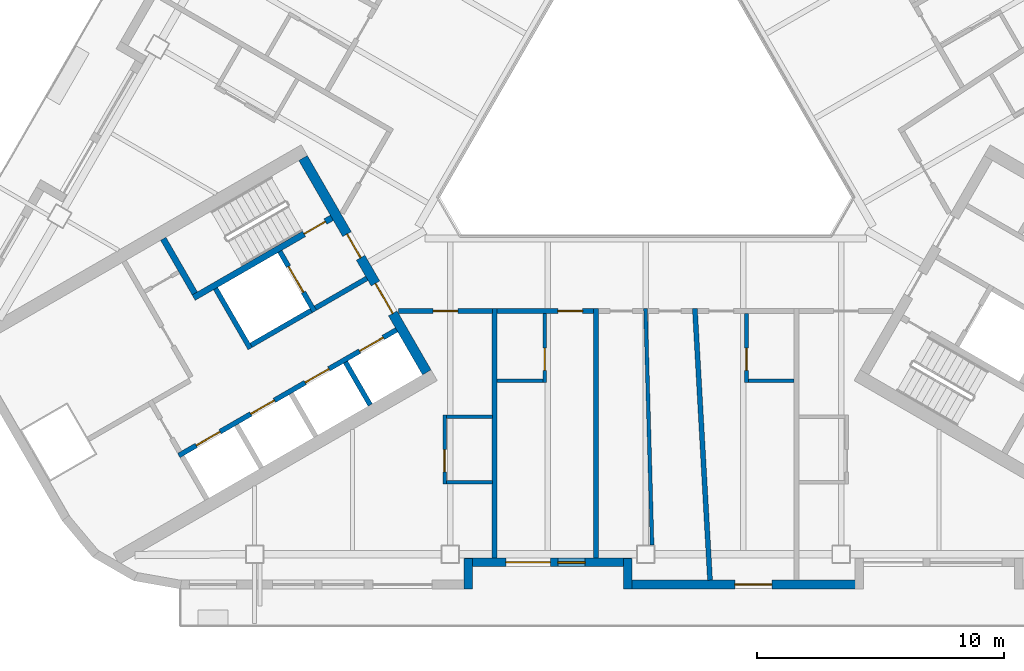
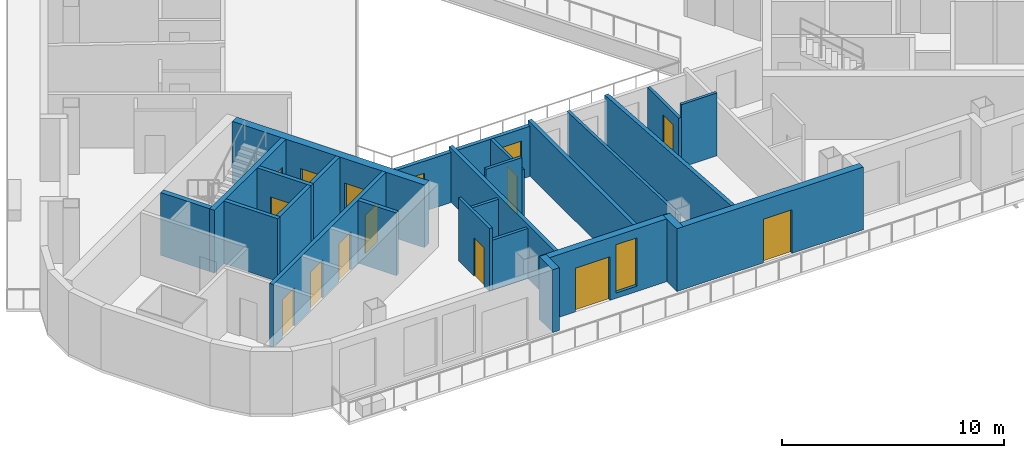
# One storey, part 3 of 14: 26 walls, 15 doors, 1 window, 16 openings.
"""IFC4 building model written with IfcOpenShell, lengths in metres."""

from ifc_helpers import new_model, si_unit, direction, frame, frame_2d, origin, place, context, subcontext, project, spatial, rectangle, extrude, material, layer, layer_set, type_object, element, fill, save


model = new_model("IFC4")

# Units and contexts
model_context = context("Model", 3, precision=1e-05, world=origin(), true_north=direction((0.0, 1.0)))
body_context = subcontext(model_context, "Body", "Model", "MODEL_VIEW")
ifc_project = project(units=[si_unit("LENGTHUNIT", "METRE"), si_unit("AREAUNIT", "SQUARE_METRE"), si_unit("VOLUMEUNIT", "CUBIC_METRE"), si_unit("PLANEANGLEUNIT", "RADIAN"), si_unit("MASSUNIT", "GRAM", prefix="KILO")], contexts=[model_context])

# Site, building, storey
site_placement = place(None, origin())
site = spatial("IfcSite", under=ifc_project, at=site_placement, CompositionType="ELEMENT")
building_placement = place(site_placement, origin())
building = spatial("IfcBuilding", under=site, at=building_placement, Name="Apuvela Tower Hotel", CompositionType="ELEMENT")
storey_placement = place(building_placement, frame((0.0, 0.0, 228.0)))
storey = spatial("IfcBuildingStorey", under=building, at=storey_placement, Name="L56", CompositionType="ELEMENT", Elevation=228.0)

# Wall, openings, doors
ifc_material_1 = material(Name="Concrete C50/60", Category="concrete")
ifc_layer_1 = layer(ifc_material_1, 0.39990234375)
ifc_layer_set_1 = layer_set([ifc_layer_1], Name="COR-WALL-CORE-400")
wall_type_1 = type_object("IfcWallType", Name="COR-WALL-CORE-400", PredefinedType="SHEAR", material=ifc_layer_set_1)
wall_1_placement = place(storey_placement, frame((-13.844970703125, -2.219970703125, 0.0), z_axis=(0.0, 0.0, 1.0), x_axis=(0.500004234368, -0.866022959057, 0.0)))
wall_1 = element("IfcWall", 1, at=wall_1_placement, inside=storey, type_object=wall_type_1, Name="Core wall SW", PredefinedType="SHEAR", context=body_context, shape_type="SweptSolid", body=[
    extrude(rectangle(XDim=10.0, YDim=0.39990234375, at=frame_2d((5.0, 0.0))), origin(), (0.0, 0.0, 1.0), 3.449951171875),
])
opening_1_placement = place(wall_1_placement, frame((3.550048828125, 0.0, 0.0)))
opening_1 = element("IfcOpeningElement", 2, at=opening_1_placement, cuts=wall_1, Name="Opening W-FD", PredefinedType="OPENING", context=body_context, shape_type="SweptSolid", body=[
    extrude(rectangle(XDim=1.10009765625, YDim=2.10009765625, at=frame_2d((0.550048828125, 1.050048828125))), frame((0.0, 0.2099609375, 0.0), z_axis=(0.0, -1.0, 0.0), x_axis=(1.0, 0.0, 0.0)), (0.0, 0.0, 1.0), 0.419921875),
])
opening_2_placement = place(wall_1_placement, frame((5.85009765625, 0.0, 0.0)))
opening_2 = element("IfcOpeningElement", 3, at=opening_2_placement, cuts=wall_1, Name="Opening W-GD", PredefinedType="OPENING", context=body_context, shape_type="SweptSolid", body=[
    extrude(rectangle(XDim=1.39990234375, YDim=2.10009765625, at=frame_2d((0.699951171875, 1.050048828125))), frame((0.0, 0.2099609375, 0.0), z_axis=(0.0, -1.0, 0.0), x_axis=(1.0, 0.0, 0.0)), (0.0, 0.0, 1.0), 0.419921875),
])
ifc_material_2 = material(Name="Steel fire door, powder coated", Category="steel")
door_type_1 = type_object("IfcDoorType", Name="COR-FD-1100", OperationType="NOTDEFINED", PredefinedType="DOOR", material=ifc_material_2)
door_1_placement = place(opening_1_placement, frame((1.10009765625, 0.0, 0.0), z_axis=(0.0, 0.0, 1.0), x_axis=(-1.0, 0.0, 0.0)))
door_1 = element("IfcDoor", 4, at=door_1_placement, inside=storey, type_object=door_type_1, Name="Firefighting lobby door W-FD", OperationType="SINGLE_SWING_LEFT", OverallHeight=2.10009765625, OverallWidth=1.10009765625, PredefinedType="DOOR", context=body_context, shape_type="SweptSolid", body=[
    extrude(rectangle(XDim=1.10009765625, YDim=2.10009765625, at=frame_2d((0.550048828125, 1.050048828125))), frame((0.0, 0.02490234375, 0.0), z_axis=(0.0, -1.0, 0.0), x_axis=(1.0, 0.0, 0.0)), (0.0, 0.0, 1.0), 0.050048828125),
])
fill(opening_1, door_1)
ifc_material_3 = material(Name="Glazed steel fire door", Category="steel")
door_type_2 = type_object("IfcDoorType", Name="COR-GD-1400", OperationType="DOUBLE_DOOR_SINGLE_SWING", PredefinedType="DOOR", material=ifc_material_3)
door_2_placement = place(opening_2_placement, frame((1.39990234375, 0.0, 0.0), z_axis=(0.0, 0.0, 1.0), x_axis=(-1.0, 0.0, 0.0)))
door_2 = element("IfcDoor", 5, at=door_2_placement, inside=storey, type_object=door_type_2, Name="Lift lobby door W-GD", OperationType="DOUBLE_DOOR_SINGLE_SWING", OverallHeight=2.10009765625, OverallWidth=1.39990234375, PredefinedType="DOOR", context=body_context, shape_type="SweptSolid", body=[
    extrude(rectangle(XDim=1.39990234375, YDim=2.10009765625, at=frame_2d((0.699951171875, 1.050048828125))), frame((0.0, 0.02490234375, 0.0), z_axis=(0.0, -1.0, 0.0), x_axis=(1.0, 0.0, 0.0)), (0.0, 0.0, 1.0), 0.050048828125),
])
fill(opening_2, door_2)

# Wall
ifc_layer_2 = layer(ifc_material_1, 0.199951171875)
ifc_layer_set_2 = layer_set([ifc_layer_2], Name="COR-WALL-SHAFT-200")
wall_type_2 = type_object("IfcWallType", Name="COR-WALL-SHAFT-200", PredefinedType="SHEAR", material=ifc_layer_set_2)
wall_2_placement = place(storey_placement, frame((-17.38134765625, -7.49462890625, 0.0), z_axis=(0.0, 0.0, 1.0), x_axis=(0.500011755427, -0.866018616679, 0.0)))
element("IfcWall", 6, at=wall_2_placement, inside=storey, type_object=wall_type_2, Name="Shaft wall SW", PredefinedType="SHEAR", context=body_context, shape_type="SweptSolid", body=[
    extrude(rectangle(XDim=2.80029296875, YDim=0.199951171875, at=frame_2d((1.400146484375, 0.0))), origin(), (0.0, 0.0, 1.0), 3.449951171875),
])

# Wall, opening, door
wall_3_placement = place(storey_placement, frame((-14.783203125, -5.99462890625, 0.0), z_axis=(0.0, 0.0, 1.0), x_axis=(0.49994636267, -0.866056369097, 0.0)))
wall_3 = element("IfcWall", 7, at=wall_3_placement, inside=storey, type_object=wall_type_2, Name="Shaft wall SW", PredefinedType="SHEAR", context=body_context, shape_type="SweptSolid", body=[
    extrude(rectangle(XDim=2.800048828125, YDim=0.199951171875, at=frame_2d((1.39990234375, 0.0))), origin(), (0.0, 0.0, 1.0), 3.449951171875),
])
opening_3_placement = place(wall_3_placement, frame((0.699951171875, 0.0, 0.0)))
opening_3 = element("IfcOpeningElement", 8, at=opening_3_placement, cuts=wall_3, Name="Opening W-LD-FS2", PredefinedType="OPENING", context=body_context, shape_type="SweptSolid", body=[
    extrude(rectangle(XDim=1.199951171875, YDim=2.10009765625, at=frame_2d((0.60009765625, 1.050048828125))), frame((0.0, 0.10986328125, 0.0), z_axis=(0.0, -1.0, 0.0), x_axis=(1.0, 0.0, 0.0)), (0.0, 0.0, 1.0), 0.219970703125),
])
ifc_material_4 = material(Name="Stainless steel lift landing door", Category="steel")
door_type_3 = type_object("IfcDoorType", Name="COR-LD-1200", OperationType="DOUBLE_DOOR_SLIDING", PredefinedType="DOOR", material=ifc_material_4)
door_3_placement = place(opening_3_placement, origin())
door_3 = element("IfcDoor", 9, at=door_3_placement, inside=storey, type_object=door_type_3, Name="Lift landing door W-LD-FS2", OperationType="DOUBLE_DOOR_SLIDING", OverallHeight=2.10009765625, OverallWidth=1.199951171875, PredefinedType="DOOR", context=body_context, shape_type="SweptSolid", body=[
    extrude(rectangle(XDim=1.199951171875, YDim=2.10009765625, at=frame_2d((0.60009765625, 1.050048828125))), frame((0.0, 0.02490234375, 0.0), z_axis=(0.0, -1.0, 0.0), x_axis=(1.0, 0.0, 0.0)), (0.0, 0.0, 1.0), 0.050048828125),
])
fill(opening_3, door_3)

# Walls
wall_4_placement = place(storey_placement, frame((-13.519775390625, -8.383056640625, 0.0), z_axis=(0.0, 0.0, 1.0), x_axis=(-0.866034573852, -0.49998411664, 0.0)))
element("IfcWall", 10, at=wall_4_placement, inside=storey, type_object=wall_type_2, Name="Shaft wall SW", PredefinedType="SHEAR", context=body_context, shape_type="SweptSolid", body=[
    extrude(rectangle(XDim=2.7998046875, YDim=0.199951171875, at=frame_2d((1.39990234375, 0.0))), origin(), (0.0, 0.0, 1.0), 3.449951171875),
])
wall_5_placement = place(storey_placement, frame((-11.26806640625, -7.0830078125, 0.0), z_axis=(0.0, 0.0, 1.0), x_axis=(-0.866050077142, -0.499957262057, 0.0)))
element("IfcWall", 11, at=wall_5_placement, inside=storey, type_object=wall_type_2, Name="Shaft wall SW", PredefinedType="SHEAR", context=body_context, shape_type="SweptSolid", body=[
    extrude(rectangle(XDim=2.400146484375, YDim=0.199951171875, at=frame_2d((1.2001953125, 0.0))), origin(), (0.0, 0.0, 1.0), 3.449951171875),
])

# Wall, openings, doors
wall_6_placement = place(storey_placement, frame((-10.068115234375, -9.16162109375, 0.0), z_axis=(0.0, 0.0, 1.0), x_axis=(-0.866032725843, -0.499987317609, 0.0)))
wall_6 = element("IfcWall", 12, at=wall_6_placement, inside=storey, type_object=wall_type_2, Name="Shaft wall SW", PredefinedType="SHEAR", context=body_context, shape_type="SweptSolid", body=[
    extrude(rectangle(XDim=10.159912109375, YDim=0.199951171875, at=frame_2d((5.080078125, 0.0))), origin(), (0.0, 0.0, 1.0), 3.449951171875),
])
opening_4_placement = place(wall_6_placement, frame((0.6201171875, 0.0, 0.0)))
opening_4 = element("IfcOpeningElement", 13, at=opening_4_placement, cuts=wall_6, Name="Opening W-LD-MR1", PredefinedType="OPENING", context=body_context, shape_type="SweptSolid", body=[
    extrude(rectangle(XDim=1.10009765625, YDim=2.10009765625, at=frame_2d((0.550048828125, 1.050048828125))), frame((0.0, 0.10986328125, 0.0), z_axis=(0.0, -1.0, 0.0), x_axis=(1.0, 0.0, 0.0)), (0.0, 0.0, 1.0), 0.219970703125),
])
opening_5_placement = place(wall_6_placement, frame((3.159912109375, 0.0, 0.0)))
opening_5 = element("IfcOpeningElement", 14, at=opening_5_placement, cuts=wall_6, Name="Opening W-LD-MR2", PredefinedType="OPENING", context=body_context, shape_type="SweptSolid", body=[
    extrude(rectangle(XDim=1.10009765625, YDim=2.10009765625, at=frame_2d((0.550048828125, 1.050048828125))), frame((0.0, 0.10986328125, 0.0), z_axis=(0.0, -1.0, 0.0), x_axis=(1.0, 0.0, 0.0)), (0.0, 0.0, 1.0), 0.219970703125),
])
opening_6_placement = place(wall_6_placement, frame((5.699951171875, 0.0, 0.0)))
opening_6 = element("IfcOpeningElement", 15, at=opening_6_placement, cuts=wall_6, Name="Opening W-LD-MR3", PredefinedType="OPENING", context=body_context, shape_type="SweptSolid", body=[
    extrude(rectangle(XDim=1.10009765625, YDim=2.10009765625, at=frame_2d((0.550048828125, 1.050048828125))), frame((0.0, 0.10986328125, 0.0), z_axis=(0.0, -1.0, 0.0), x_axis=(1.0, 0.0, 0.0)), (0.0, 0.0, 1.0), 0.219970703125),
])
opening_7_placement = place(wall_6_placement, frame((8.239990234375, 0.0, 0.0)))
opening_7 = element("IfcOpeningElement", 16, at=opening_7_placement, cuts=wall_6, Name="Opening W-LD-MR4", PredefinedType="OPENING", context=body_context, shape_type="SweptSolid", body=[
    extrude(rectangle(XDim=1.10009765625, YDim=2.10009765625, at=frame_2d((0.550048828125, 1.050048828125))), frame((0.0, 0.10986328125, 0.0), z_axis=(0.0, -1.0, 0.0), x_axis=(1.0, 0.0, 0.0)), (0.0, 0.0, 1.0), 0.219970703125),
])
door_type_4 = type_object("IfcDoorType", Name="COR-LD-1100", OperationType="DOUBLE_DOOR_SLIDING", PredefinedType="DOOR", material=ifc_material_4)
door_4_placement = place(opening_4_placement, origin())
door_4 = element("IfcDoor", 17, at=door_4_placement, inside=storey, type_object=door_type_4, Name="Lift landing door W-LD-MR1", OperationType="DOUBLE_DOOR_SLIDING", OverallHeight=2.10009765625, OverallWidth=1.10009765625, PredefinedType="DOOR", context=body_context, shape_type="SweptSolid", body=[
    extrude(rectangle(XDim=1.10009765625, YDim=2.10009765625, at=frame_2d((0.550048828125, 1.050048828125))), frame((0.0, 0.02490234375, 0.0), z_axis=(0.0, -1.0, 0.0), x_axis=(1.0, 0.0, 0.0)), (0.0, 0.0, 1.0), 0.050048828125),
])
fill(opening_4, door_4)
door_5_placement = place(opening_5_placement, origin())
door_5 = element("IfcDoor", 18, at=door_5_placement, inside=storey, type_object=door_type_4, Name="Lift landing door W-LD-MR2", OperationType="DOUBLE_DOOR_SLIDING", OverallHeight=2.10009765625, OverallWidth=1.10009765625, PredefinedType="DOOR", context=body_context, shape_type="SweptSolid", body=[
    extrude(rectangle(XDim=1.10009765625, YDim=2.10009765625, at=frame_2d((0.550048828125, 1.050048828125))), frame((0.0, 0.02490234375, 0.0), z_axis=(0.0, -1.0, 0.0), x_axis=(1.0, 0.0, 0.0)), (0.0, 0.0, 1.0), 0.050048828125),
])
fill(opening_5, door_5)
door_6_placement = place(opening_6_placement, origin())
door_6 = element("IfcDoor", 19, at=door_6_placement, inside=storey, type_object=door_type_4, Name="Lift landing door W-LD-MR3", OperationType="DOUBLE_DOOR_SLIDING", OverallHeight=2.10009765625, OverallWidth=1.10009765625, PredefinedType="DOOR", context=body_context, shape_type="SweptSolid", body=[
    extrude(rectangle(XDim=1.10009765625, YDim=2.10009765625, at=frame_2d((0.550048828125, 1.050048828125))), frame((0.0, 0.02490234375, 0.0), z_axis=(0.0, -1.0, 0.0), x_axis=(1.0, 0.0, 0.0)), (0.0, 0.0, 1.0), 0.050048828125),
])
fill(opening_6, door_6)
door_7_placement = place(opening_7_placement, origin())
door_7 = element("IfcDoor", 20, at=door_7_placement, inside=storey, type_object=door_type_4, Name="Lift landing door W-LD-MR4", OperationType="DOUBLE_DOOR_SLIDING", OverallHeight=2.10009765625, OverallWidth=1.10009765625, PredefinedType="DOOR", context=body_context, shape_type="SweptSolid", body=[
    extrude(rectangle(XDim=1.10009765625, YDim=2.10009765625, at=frame_2d((0.550048828125, 1.050048828125))), frame((0.0, 0.02490234375, 0.0), z_axis=(0.0, -1.0, 0.0), x_axis=(1.0, 0.0, 0.0)), (0.0, 0.0, 1.0), 0.050048828125),
])
fill(opening_7, door_7)

# Wall
wall_7_placement = place(storey_placement, frame((-12.131103515625, -10.468017578125, 0.0), z_axis=(0.0, 0.0, 1.0), x_axis=(0.499972520799, -0.866041268327, 0.0)))
element("IfcWall", 21, at=wall_7_placement, inside=storey, type_object=wall_type_2, Name="Shaft wall SW", PredefinedType="SHEAR", context=body_context, shape_type="SweptSolid", body=[
    extrude(rectangle(XDim=2.0, YDim=0.199951171875, at=frame_2d((1.0, 0.0))), origin(), (0.0, 0.0, 1.0), 3.449951171875),
])

# Wall, opening, door
ifc_layer_3 = layer(ifc_material_1, 0.25)
ifc_layer_set_3 = layer_set([ifc_layer_3], Name="COR-WALL-STAIR-250")
wall_type_3 = type_object("IfcWallType", Name="COR-WALL-STAIR-250", PredefinedType="SHEAR", material=ifc_layer_set_3)
wall_8_placement = place(storey_placement, frame((-12.6806640625, -4.636474609375, 0.0), z_axis=(0.0, 0.0, 1.0), x_axis=(-0.866021702275, -0.500006411147, 0.0)))
wall_8 = element("IfcWall", 22, at=wall_8_placement, inside=storey, type_object=wall_type_3, Name="Stair wall SW", PredefinedType="SHEAR", context=body_context, shape_type="SweptSolid", body=[
    extrude(rectangle(XDim=6.4501953125, YDim=0.25, at=frame_2d((3.22509765625, 0.0))), origin(), (0.0, 0.0, 1.0), 3.449951171875),
])
opening_8_placement = place(wall_8_placement, frame((0.300048828125, 0.0, 0.0)))
opening_8 = element("IfcOpeningElement", 23, at=opening_8_placement, cuts=wall_8, Name="Opening W-SD", PredefinedType="OPENING", context=body_context, shape_type="SweptSolid", body=[
    extrude(rectangle(XDim=1.0, YDim=2.10009765625, at=frame_2d((0.5, 1.050048828125))), frame((0.0, 0.135009765625, 0.0), z_axis=(0.0, -1.0, 0.0), x_axis=(1.0, 0.0, 0.0)), (0.0, 0.0, 1.0), 0.27001953125),
])
door_type_5 = type_object("IfcDoorType", Name="COR-SD-1000", OperationType="NOTDEFINED", PredefinedType="DOOR", material=ifc_material_2)
door_8_placement = place(opening_8_placement, frame((1.0, 0.0, 0.0), z_axis=(0.0, 0.0, 1.0), x_axis=(-1.0, 0.0, 0.0)))
door_8 = element("IfcDoor", 24, at=door_8_placement, inside=storey, type_object=door_type_5, Name="Stair door W-SD", OperationType="SINGLE_SWING_LEFT", OverallHeight=2.10009765625, OverallWidth=1.0, PredefinedType="DOOR", context=body_context, shape_type="SweptSolid", body=[
    extrude(rectangle(XDim=1.0, YDim=2.10009765625, at=frame_2d((0.5, 1.050048828125))), frame((0.0, 0.02490234375, 0.0), z_axis=(0.0, -1.0, 0.0), x_axis=(1.0, 0.0, 0.0)), (0.0, 0.0, 1.0), 0.050048828125),
])
fill(opening_8, door_8)

# Walls
wall_9_placement = place(storey_placement, frame((-19.49560546875, -5.482421875, 0.0), z_axis=(0.0, 0.0, 1.0), x_axis=(0.499990435942, -0.866030925526, 0.0)))
element("IfcWall", 25, at=wall_9_placement, inside=storey, type_object=wall_type_3, Name="Stair wall SW", PredefinedType="SHEAR", context=body_context, shape_type="SweptSolid", body=[
    extrude(rectangle(XDim=2.5498046875, YDim=0.25, at=frame_2d((1.27490234375, 0.0))), origin(), (0.0, 0.0, 1.0), 3.449951171875),
])
ifc_material_5 = material(Name="Concrete C40/50, dark pigmented precast panel", Category="concrete")
ifc_layer_4 = layer(ifc_material_5, 0.35009765625)
ifc_layer_set_4 = layer_set([ifc_layer_4], Name="ENV-WALL-350")
wall_type_4 = type_object("IfcWallType", Name="ENV-WALL-350", PredefinedType="SOLIDWALL", material=ifc_layer_set_4)
wall_10_placement = place(storey_placement, frame((-7.175048828125, -19.6298828125, 0.0), z_axis=(0.0, 0.0, 1.0), x_axis=(0.0, 1.0, 0.0)))
element("IfcWall", 26, at=wall_10_placement, inside=storey, type_object=wall_type_4, Name="External wall L56-18", PredefinedType="SOLIDWALL", context=body_context, shape_type="SweptSolid", body=[
    extrude(rectangle(XDim=1.219970703125, YDim=0.35009765625, at=frame_2d((0.60986328125, 0.0))), origin(), (0.0, 0.0, 1.0), 3.449951171875),
])

# Wall, openings, door, window
wall_11_placement = place(storey_placement, frame((-7.320068359375, -18.554931640625, 0.0), z_axis=(0.0, 0.0, 1.0), x_axis=(1.0, 0.0, 0.0)))
wall_11 = element("IfcWall", 27, at=wall_11_placement, inside=storey, type_object=wall_type_4, Name="External wall L56-19", PredefinedType="SOLIDWALL", context=body_context, shape_type="SweptSolid", body=[
    extrude(rectangle(XDim=6.739990234375, YDim=0.35009765625, at=frame_2d((3.3701171875, 0.0))), origin(), (0.0, 0.0, 1.0), 3.449951171875),
])
opening_9_placement = place(wall_11_placement, frame((1.669921875, 0.0, 0.0)))
opening_9 = element("IfcOpeningElement", 28, at=opening_9_placement, cuts=wall_11, Name="Opening BD18", PredefinedType="OPENING", context=body_context, shape_type="SweptSolid", body=[
    extrude(rectangle(XDim=1.800048828125, YDim=2.39990234375, at=frame_2d((0.89990234375, 1.199951171875))), frame((0.0, 0.18505859375, 0.0), z_axis=(0.0, -1.0, 0.0), x_axis=(1.0, 0.0, 0.0)), (0.0, 0.0, 1.0), 0.3701171875),
])
opening_10_placement = place(wall_11_placement, frame((3.77001953125, 0.0, 0.300048828125)))
opening_10 = element("IfcOpeningElement", 29, at=opening_10_placement, cuts=wall_11, Name="Opening WN11", PredefinedType="OPENING", context=body_context, shape_type="SweptSolid", body=[
    extrude(rectangle(XDim=1.10009765625, YDim=2.64990234375, at=frame_2d((0.550048828125, 1.324951171875))), frame((0.0, 0.18505859375, 0.0), z_axis=(0.0, -1.0, 0.0), x_axis=(1.0, 0.0, 0.0)), (0.0, 0.0, 1.0), 0.3701171875),
])
ifc_material_6 = material(Name="Aluminium 6063-T6, dark bronze anodised frame with dark tinted laminated glass", Category="aluminium")
door_type_6 = type_object("IfcDoorType", Name="ENV-DOOR-BALCONY-1800x2400", OperationType="SLIDING_TO_LEFT", PredefinedType="DOOR", material=ifc_material_6)
door_9_placement = place(opening_9_placement, frame((1.800048828125, 0.0, 0.0), z_axis=(0.0, 0.0, 1.0), x_axis=(-1.0, 0.0, 0.0)))
door_9 = element("IfcDoor", 30, at=door_9_placement, inside=storey, type_object=door_type_6, Name="Balcony door BD18", OperationType="SLIDING_TO_LEFT", OverallHeight=2.39990234375, OverallWidth=1.800048828125, PredefinedType="DOOR", context=body_context, shape_type="SweptSolid", body=[
    extrude(rectangle(XDim=1.800048828125, YDim=2.39990234375, at=frame_2d((0.89990234375, 1.199951171875))), frame((0.0, 0.02490234375, 0.0), z_axis=(0.0, -1.0, 0.0), x_axis=(1.0, 0.0, 0.0)), (0.0, 0.0, 1.0), 0.050048828125),
])
fill(opening_9, door_9)
ifc_material_7 = material(Name="Glass, dark tinted laminated insulated glazing unit", Category="glass")
window_type = type_object("IfcWindowType", Name="ENV-WIN-1100x2650", PartitioningType="SINGLE_PANEL", PredefinedType="WINDOW", material=ifc_material_7)
window_placement = place(opening_10_placement, origin())
window = element("IfcWindow", 31, at=window_placement, inside=storey, type_object=window_type, Name="Window WN11", OverallHeight=2.64990234375, OverallWidth=1.10009765625, PartitioningType="SINGLE_PANEL", PredefinedType="WINDOW", context=body_context, shape_type="SweptSolid", body=[
    extrude(rectangle(XDim=1.10009765625, YDim=2.64990234375, at=frame_2d((0.550048828125, 1.324951171875))), frame((0.0, 0.030029296875, 0.0), z_axis=(0.0, -1.0, 0.0), x_axis=(1.0, 0.0, 0.0)), (0.0, 0.0, 1.0), 0.06005859375),
])
fill(opening_10, window)

# Wall
wall_12_placement = place(storey_placement, frame((-0.72509765625, -18.409912109375, 0.0), z_axis=(0.0, 0.0, 1.0), x_axis=(0.0, -1.0, 0.0)))
element("IfcWall", 32, at=wall_12_placement, inside=storey, type_object=wall_type_4, Name="External wall L56-20", PredefinedType="SOLIDWALL", context=body_context, shape_type="SweptSolid", body=[
    extrude(rectangle(XDim=1.219970703125, YDim=0.35009765625, at=frame_2d((0.60986328125, 0.0))), origin(), (0.0, 0.0, 1.0), 3.449951171875),
])

# Wall, opening, door
wall_13_placement = place(storey_placement, frame((-0.89990234375, -19.455078125, 0.0), z_axis=(0.0, 0.0, 1.0), x_axis=(1.0, 0.0, 0.0)))
wall_13 = element("IfcWall", 33, at=wall_13_placement, inside=storey, type_object=wall_type_4, Name="External wall L56-21", PredefinedType="SOLIDWALL", context=body_context, shape_type="SweptSolid", body=[
    extrude(rectangle(XDim=9.699951171875, YDim=0.35009765625, at=frame_2d((4.85009765625, 0.0))), origin(), (0.0, 0.0, 1.0), 3.449951171875),
])
opening_11_placement = place(wall_13_placement, frame((4.5, 0.0, 0.0)))
opening_11 = element("IfcOpeningElement", 34, at=opening_11_placement, cuts=wall_13, Name="Opening BD15", PredefinedType="OPENING", context=body_context, shape_type="SweptSolid", body=[
    extrude(rectangle(XDim=1.5, YDim=2.39990234375, at=frame_2d((0.75, 1.199951171875))), frame((0.0, 0.18505859375, 0.0), z_axis=(0.0, -1.0, 0.0), x_axis=(1.0, 0.0, 0.0)), (0.0, 0.0, 1.0), 0.3701171875),
])
door_type_7 = type_object("IfcDoorType", Name="ENV-DOOR-BALCONY-1500x2400", OperationType="SLIDING_TO_LEFT", PredefinedType="DOOR", material=ifc_material_6)
door_10_placement = place(opening_11_placement, frame((1.5, 0.0, 0.0), z_axis=(0.0, 0.0, 1.0), x_axis=(-1.0, 0.0, 0.0)))
door_10 = element("IfcDoor", 35, at=door_10_placement, inside=storey, type_object=door_type_7, Name="Balcony door BD15", OperationType="SLIDING_TO_LEFT", OverallHeight=2.39990234375, OverallWidth=1.5, PredefinedType="DOOR", context=body_context, shape_type="SweptSolid", body=[
    extrude(rectangle(XDim=1.5, YDim=2.39990234375, at=frame_2d((0.75, 1.199951171875))), frame((0.0, 0.02490234375, 0.0), z_axis=(0.0, -1.0, 0.0), x_axis=(1.0, 0.0, 0.0)), (0.0, 0.0, 1.0), 0.050048828125),
])
fill(opening_11, door_10)

# Walls
ifc_material_8 = material(Name="Gypsum board partition on twin steel stud", Category="steel")
ifc_layer_5 = layer(ifc_material_8, 0.199951171875)
ifc_layer_set_5 = layer_set([ifc_layer_5], Name="GST-PW1")
wall_type_5 = type_object("IfcWallType", Name="GST-PW1", PredefinedType="PARTITIONING", material=ifc_layer_set_5)
for number, where, z_axis, x_axis, name in (
    (36, (-6.10009765625, -18.3798828125, 0.0), (0.0, 0.0, 1.0), (0.0, 1.0, 0.0), "L56 partition 01"),
    (37, (-2.0, -18.3798828125, 0.0), (0.0, 0.0, 1.0), (0.0, 1.0, 0.0), "L56 partition 02"),
):
    element("IfcWall", number, at=place(storey_placement, frame(where, z_axis=z_axis, x_axis=x_axis)), inside=storey, type_object=wall_type_5, Name=name, PredefinedType="PARTITIONING", context=body_context, shape_type="SweptSolid", body=[
        extrude(rectangle(XDim=10.079833984375, YDim=0.199951171875, at=frame_2d((5.0400390625, 0.0))), origin(), (0.0, 0.0, 1.0), 2.9599609375),
    ])
wall_14_placement = place(storey_placement, frame((2.60009765625, -19.280029296875, 0.0), z_axis=(0.0, 0.0, 1.0), x_axis=(-0.055568385591, 0.998454883569, 0.0)))
element("IfcWall", 38, at=wall_14_placement, inside=storey, type_object=wall_type_5, Name="L56 partition 03", PredefinedType="PARTITIONING", context=body_context, shape_type="SweptSolid", body=[
    extrude(rectangle(XDim=10.9970703125, YDim=0.199951171875, at=frame_2d((5.49853515625, 0.0))), origin(), (0.0, 0.0, 1.0), 2.9599609375),
])

# Wall, opening, door
ifc_material_9 = material(Name="Gypsum board corridor wall on twin steel stud, acoustic", Category="steel")
ifc_layer_6 = layer(ifc_material_9, 0.199951171875)
ifc_layer_set_6 = layer_set([ifc_layer_6], Name="GST-PW2")
wall_type_6 = type_object("IfcWallType", Name="GST-PW2", PredefinedType="PARTITIONING", material=ifc_layer_set_6)
wall_15_placement = place(storey_placement, frame((-6.199951171875, -8.39990234375, 0.0), z_axis=(0.0, 0.0, 1.0), x_axis=(-1.0, 0.0, 0.0)))
wall_15 = element("IfcWall", 39, at=wall_15_placement, inside=storey, type_object=wall_type_6, Name="L56 partition 13", PredefinedType="PARTITIONING", context=body_context, shape_type="SweptSolid", body=[
    extrude(rectangle(XDim=3.788330078125, YDim=0.199951171875, at=frame_2d((1.89404296875, 0.0))), origin(), (0.0, 0.0, 1.0), 2.760009765625),
])
opening_12_placement = place(wall_15_placement, frame((1.39404296875, 0.0, 0.0)))
opening_12 = element("IfcOpeningElement", 40, at=opening_12_placement, cuts=wall_15, Name="Opening GD22-02", PredefinedType="OPENING", context=body_context, shape_type="SweptSolid", body=[
    extrude(rectangle(XDim=1.0, YDim=2.10009765625, at=frame_2d((0.5, 1.050048828125))), frame((0.0, 0.10986328125, 0.0), z_axis=(0.0, -1.0, 0.0), x_axis=(1.0, 0.0, 0.0)), (0.0, 0.0, 1.0), 0.219970703125),
])
ifc_material_10 = material(Name="Timber door leaf in steel frame", Category="steel")
door_type_8 = type_object("IfcDoorType", Name="GST-D1", OperationType="NOTDEFINED", PredefinedType="DOOR", material=ifc_material_10)
door_11_placement = place(opening_12_placement, origin())
door_11 = element("IfcDoor", 41, at=door_11_placement, inside=storey, type_object=door_type_8, Name="Door L56-02", OperationType="SINGLE_SWING_LEFT", OverallHeight=2.10009765625, OverallWidth=1.0, PredefinedType="DOOR", context=body_context, shape_type="SweptSolid", body=[
    extrude(rectangle(XDim=1.0, YDim=2.10009765625, at=frame_2d((0.5, 1.050048828125))), frame((0.0, 0.02490234375, 0.0), z_axis=(0.0, -1.0, 0.0), x_axis=(1.0, 0.0, 0.0)), (0.0, 0.0, 1.0), 0.050048828125),
])
fill(opening_12, door_11)

wall_16_placement = place(storey_placement, frame((-2.10009765625, -8.39990234375, 0.0), z_axis=(0.0, 0.0, 1.0), x_axis=(-1.0, 0.0, 0.0)))
wall_16 = element("IfcWall", 42, at=wall_16_placement, inside=storey, type_object=wall_type_6, Name="L56 partition 17", PredefinedType="PARTITIONING", context=body_context, shape_type="SweptSolid", body=[
    extrude(rectangle(XDim=3.89990234375, YDim=0.199951171875, at=frame_2d((1.949951171875, 0.0))), origin(), (0.0, 0.0, 1.0), 2.760009765625),
])
opening_13_placement = place(wall_16_placement, frame((0.449951171875, 0.0, 0.0)))
opening_13 = element("IfcOpeningElement", 43, at=opening_13_placement, cuts=wall_16, Name="Opening GD22-04", PredefinedType="OPENING", context=body_context, shape_type="SweptSolid", body=[
    extrude(rectangle(XDim=1.0, YDim=2.10009765625, at=frame_2d((0.5, 1.050048828125))), frame((0.0, 0.10986328125, 0.0), z_axis=(0.0, -1.0, 0.0), x_axis=(1.0, 0.0, 0.0)), (0.0, 0.0, 1.0), 0.219970703125),
])
door_12_placement = place(opening_13_placement, origin())
door_12 = element("IfcDoor", 44, at=door_12_placement, inside=storey, type_object=door_type_8, Name="Door L56-04", OperationType="SINGLE_SWING_LEFT", OverallHeight=2.10009765625, OverallWidth=1.0, PredefinedType="DOOR", context=body_context, shape_type="SweptSolid", body=[
    extrude(rectangle(XDim=1.0, YDim=2.10009765625, at=frame_2d((0.5, 1.050048828125))), frame((0.0, 0.02490234375, 0.0), z_axis=(0.0, -1.0, 0.0), x_axis=(1.0, 0.0, 0.0)), (0.0, 0.0, 1.0), 0.050048828125),
])
fill(opening_13, door_12)

ifc_material_11 = material(Name="Moisture-resistant gypsum board wet wall on steel stud", Category="steel")
ifc_layer_7 = layer(ifc_material_11, 0.14990234375)
ifc_layer_set_7 = layer_set([ifc_layer_7], Name="GST-PW3")
wall_type_7 = type_object("IfcWallType", Name="GST-PW3", PredefinedType="PARTITIONING", material=ifc_layer_set_7)
wall_17_placement = place(storey_placement, frame((-8.125, -12.60009765625, 0.0), z_axis=(0.0, 0.0, 1.0), x_axis=(0.0, -1.0, 0.0)))
wall_17 = element("IfcWall", 45, at=wall_17_placement, inside=storey, type_object=wall_type_7, Name="L56 partition 14", PredefinedType="PARTITIONING", context=body_context, shape_type="SweptSolid", body=[
    extrude(rectangle(XDim=2.7998046875, YDim=0.14990234375, at=frame_2d((1.39990234375, 0.0))), origin(), (0.0, 0.0, 1.0), 3.449951171875),
])
opening_14_placement = place(wall_17_placement, frame((1.39990234375, 0.0, 0.0)))
opening_14 = element("IfcOpeningElement", 46, at=opening_14_placement, cuts=wall_17, Name="Opening GD22-01", PredefinedType="OPENING", context=body_context, shape_type="SweptSolid", body=[
    extrude(rectangle(XDim=0.89990234375, YDim=2.10009765625, at=frame_2d((0.449951171875, 1.050048828125))), frame((0.0, 0.0849609375, 0.0), z_axis=(0.0, -1.0, 0.0), x_axis=(1.0, 0.0, 0.0)), (0.0, 0.0, 1.0), 0.169921875),
])
door_type_9 = type_object("IfcDoorType", Name="GST-D2", OperationType="NOTDEFINED", PredefinedType="DOOR", material=ifc_material_10)
door_13_placement = place(opening_14_placement, origin())
door_13 = element("IfcDoor", 47, at=door_13_placement, inside=storey, type_object=door_type_9, Name="Door L56-01", OperationType="SINGLE_SWING_RIGHT", OverallHeight=2.10009765625, OverallWidth=0.89990234375, PredefinedType="DOOR", context=body_context, shape_type="SweptSolid", body=[
    extrude(rectangle(XDim=0.89990234375, YDim=2.10009765625, at=frame_2d((0.449951171875, 1.050048828125))), frame((0.0, 0.02490234375, 0.0), z_axis=(0.0, -1.0, 0.0), x_axis=(1.0, 0.0, 0.0)), (0.0, 0.0, 1.0), 0.050048828125),
])
fill(opening_14, door_13)

# Walls
for number, where, z_axis, x_axis, name in (
    (48, (-8.050048828125, -15.324951171875, 0.0), (0.0, 0.0, 1.0), (1.0, 0.0, 0.0), "L56 partition 15"),
    (49, (-8.050048828125, -12.675048828125, 0.0), (0.0, 0.0, 1.0), (1.0, 0.0, 0.0), "L56 partition 16"),
):
    element("IfcWall", number, at=place(storey_placement, frame(where, z_axis=z_axis, x_axis=x_axis)), inside=storey, type_object=wall_type_7, Name=name, PredefinedType="PARTITIONING", context=body_context, shape_type="SweptSolid", body=[
        extrude(rectangle(XDim=1.85009765625, YDim=0.14990234375, at=frame_2d((0.925048828125, 0.0))), origin(), (0.0, 0.0, 1.0), 2.760009765625),
    ])

# Wall, opening, door
wall_18_placement = place(storey_placement, frame((-4.074951171875, -11.300048828125, 0.0), z_axis=(0.0, 0.0, 1.0), x_axis=(0.0, 1.0, 0.0)))
wall_18 = element("IfcWall", 50, at=wall_18_placement, inside=storey, type_object=wall_type_7, Name="L56 partition 18", PredefinedType="PARTITIONING", context=body_context, shape_type="SweptSolid", body=[
    extrude(rectangle(XDim=2.800048828125, YDim=0.14990234375, at=frame_2d((1.39990234375, 0.0))), origin(), (0.0, 0.0, 1.0), 2.760009765625),
])
opening_15_placement = place(wall_18_placement, frame((0.5, 0.0, 0.0)))
opening_15 = element("IfcOpeningElement", 51, at=opening_15_placement, cuts=wall_18, Name="Opening GD22-03", PredefinedType="OPENING", context=body_context, shape_type="SweptSolid", body=[
    extrude(rectangle(XDim=0.89990234375, YDim=2.10009765625, at=frame_2d((0.449951171875, 1.050048828125))), frame((0.0, 0.0849609375, 0.0), z_axis=(0.0, -1.0, 0.0), x_axis=(1.0, 0.0, 0.0)), (0.0, 0.0, 1.0), 0.169921875),
])
door_14_placement = place(opening_15_placement, origin())
door_14 = element("IfcDoor", 52, at=door_14_placement, inside=storey, type_object=door_type_9, Name="Door L56-03", OperationType="SINGLE_SWING_LEFT", OverallHeight=2.10009765625, OverallWidth=0.89990234375, PredefinedType="DOOR", context=body_context, shape_type="SweptSolid", body=[
    extrude(rectangle(XDim=0.89990234375, YDim=2.10009765625, at=frame_2d((0.449951171875, 1.050048828125))), frame((0.0, 0.02490234375, 0.0), z_axis=(0.0, -1.0, 0.0), x_axis=(1.0, 0.0, 0.0)), (0.0, 0.0, 1.0), 0.050048828125),
])
fill(opening_15, door_14)

# Walls
wall_19_placement = place(storey_placement, frame((-6.0, -11.22509765625, 0.0), z_axis=(0.0, 0.0, 1.0), x_axis=(1.0, 0.0, 0.0)))
element("IfcWall", 53, at=wall_19_placement, inside=storey, type_object=wall_type_7, Name="L56 partition 19", PredefinedType="PARTITIONING", context=body_context, shape_type="SweptSolid", body=[
    extrude(rectangle(XDim=1.85009765625, YDim=0.14990234375, at=frame_2d((0.925048828125, 0.0))), origin(), (0.0, 0.0, 1.0), 3.449951171875),
])
wall_20_placement = place(storey_placement, frame((0.26025390625, -17.85498046875, 0.0), z_axis=(0.0, 0.0, 1.0), x_axis=(-0.02781456591, 0.999613100116, 0.0)))
element("IfcWall", 54, at=wall_20_placement, inside=storey, type_object=wall_type_7, Name="L56 partition 20", PredefinedType="PARTITIONING", context=body_context, shape_type="SweptSolid", body=[
    extrude(rectangle(XDim=9.55859375, YDim=0.14990234375, at=frame_2d((4.779296875, 0.0))), origin(), (0.0, 0.0, 1.0), 2.760009765625),
])

# Wall, opening, door
wall_21_placement = place(storey_placement, frame((4.074951171875, -8.5, 0.0), z_axis=(0.0, 0.0, 1.0), x_axis=(0.0, -1.0, 0.0)))
wall_21 = element("IfcWall", 55, at=wall_21_placement, inside=storey, type_object=wall_type_7, Name="L56 partition 24", PredefinedType="PARTITIONING", context=body_context, shape_type="SweptSolid", body=[
    extrude(rectangle(XDim=2.800048828125, YDim=0.14990234375, at=frame_2d((1.39990234375, 0.0))), origin(), (0.0, 0.0, 1.0), 2.760009765625),
])
opening_16_placement = place(wall_21_placement, frame((1.39990234375, 0.0, 0.0)))
opening_16 = element("IfcOpeningElement", 56, at=opening_16_placement, cuts=wall_21, Name="Opening GD22-07", PredefinedType="OPENING", context=body_context, shape_type="SweptSolid", body=[
    extrude(rectangle(XDim=0.89990234375, YDim=2.10009765625, at=frame_2d((0.449951171875, 1.050048828125))), frame((0.0, 0.0849609375, 0.0), z_axis=(0.0, -1.0, 0.0), x_axis=(1.0, 0.0, 0.0)), (0.0, 0.0, 1.0), 0.169921875),
])
door_15_placement = place(opening_16_placement, origin())
door_15 = element("IfcDoor", 57, at=door_15_placement, inside=storey, type_object=door_type_9, Name="Door L56-07", OperationType="SINGLE_SWING_RIGHT", OverallHeight=2.10009765625, OverallWidth=0.89990234375, PredefinedType="DOOR", context=body_context, shape_type="SweptSolid", body=[
    extrude(rectangle(XDim=0.89990234375, YDim=2.10009765625, at=frame_2d((0.449951171875, 1.050048828125))), frame((0.0, 0.02490234375, 0.0), z_axis=(0.0, -1.0, 0.0), x_axis=(1.0, 0.0, 0.0)), (0.0, 0.0, 1.0), 0.050048828125),
])
fill(opening_16, door_15)

# Wall
wall_22_placement = place(storey_placement, frame((4.14990234375, -11.22509765625, 0.0), z_axis=(0.0, 0.0, 1.0), x_axis=(1.0, 0.0, 0.0)))
element("IfcWall", 58, at=wall_22_placement, inside=storey, type_object=wall_type_7, Name="L56 partition 25", PredefinedType="PARTITIONING", context=body_context, shape_type="SweptSolid", body=[
    extrude(rectangle(XDim=1.85009765625, YDim=0.14990234375, at=frame_2d((0.925048828125, 0.0))), origin(), (0.0, 0.0, 1.0), 3.449951171875),
])

save(model, "model.ifc")
